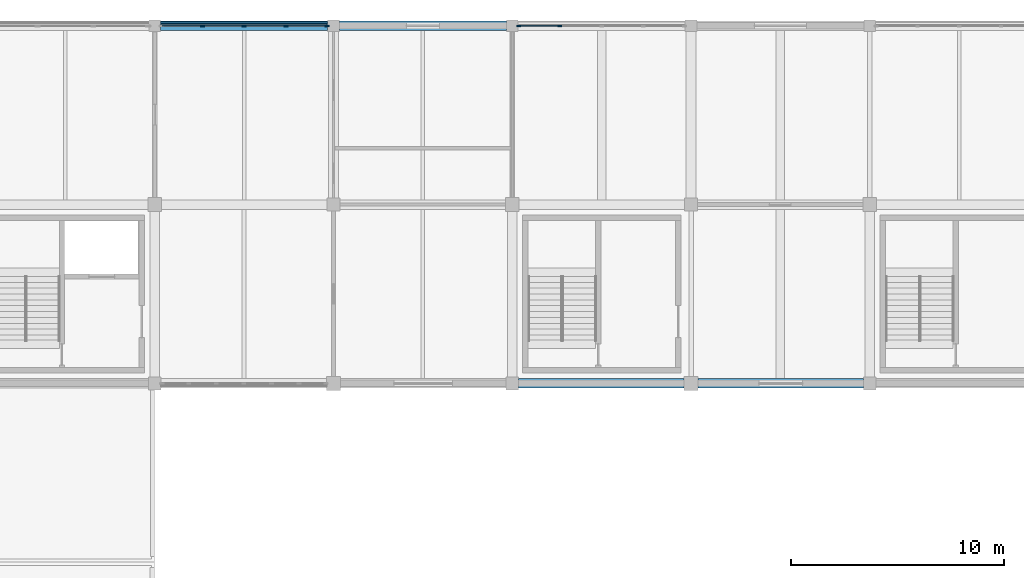
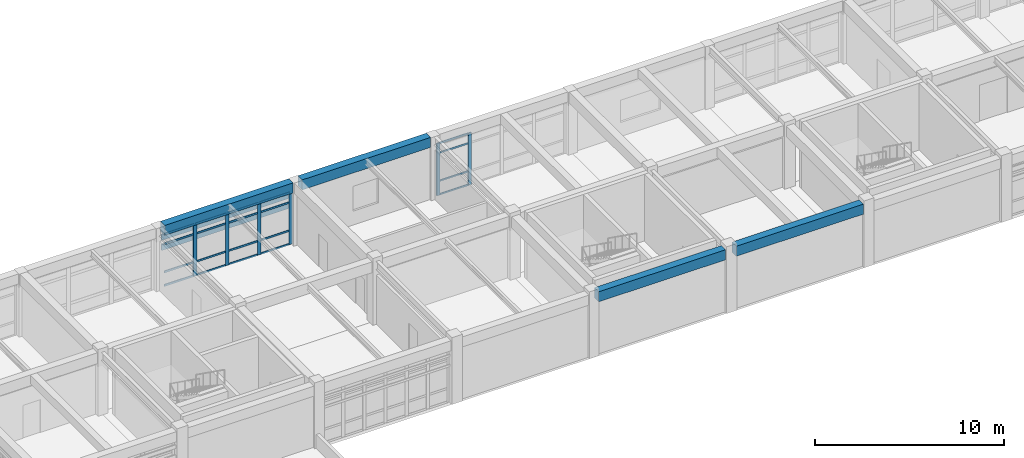
# One storey, part 6 of 18: 28 members, 4 beams, 2 elements without a shape of their own.
"""IFC4 building model written with IfcOpenShell, lengths in metres."""

from ifc_helpers import new_model, si_unit, direction, frame, origin, origin_2d, place, context, subcontext, project, spatial, rectangle, extrude, material, layer, layer_set, material_profile, profile_set, type_object, element, aggregate, save


model = new_model("IFC4")

# Units and contexts
model_context = context("Model", 3, precision=1e-05, world=origin(), true_north=direction((0.0, 1.0)))
body_context = subcontext(model_context, "Body", "Model", "MODEL_VIEW")
ifc_project = project(units=[si_unit("LENGTHUNIT", "METRE"), si_unit("AREAUNIT", "SQUARE_METRE"), si_unit("VOLUMEUNIT", "CUBIC_METRE"), si_unit("PLANEANGLEUNIT", "RADIAN"), si_unit("MASSUNIT", "GRAM", prefix="KILO")], contexts=[model_context])

# Site, building, storey
site_placement = place(None, origin())
site = spatial("IfcSite", under=ifc_project, at=site_placement, CompositionType="ELEMENT")
building_placement = place(site_placement, origin())
building = spatial("IfcBuilding", under=site, at=building_placement, Name="Porcellanite Civic Hall", CompositionType="ELEMENT")
storey_placement = place(building_placement, frame((0.0, 0.0, 23.39990234375)))
storey = spatial("IfcBuildingStorey", under=building, at=storey_placement, Name="L05", CompositionType="ELEMENT", Elevation=23.39990234375)

# Beams
ifc_material_1 = material(Name="Concrete N50 (50 MPa)", Category="concrete")
ifc_material_profile_1 = material_profile(ifc_material_1, rectangle(XDim=0.449951171875, YDim=0.64990234375, at=origin_2d()), Name="RC-450x650")
ifc_profile_set_1 = profile_set([ifc_material_profile_1], Name="Concrete N50 (50 MPa)")
beam_type = type_object("IfcBeamType", Name="BM-RC650", PredefinedType="SPANDREL", material=ifc_profile_set_1)
beam_1_placement = place(storey_placement, frame((59.074462890625, 117.60009765625, 3.7451171875), z_axis=(1.0, 0.0, 0.0), x_axis=(0.0, 1.0, 0.0)))
element("IfcBeam", 1, at=beam_1_placement, inside=storey, type_object=beam_type, Name="Beam X L05 8-15", PredefinedType="SPANDREL", context=body_context, shape_type="SweptSolid", body=[
    extrude(rectangle(XDim=0.449951171875, YDim=0.64990234375, at=origin_2d()), origin(), (0.0, 0.0, 1.0), 7.85107421875),
])
beam_2_placement = place(storey_placement, frame((67.474609375, 117.60009765625, 3.7451171875), z_axis=(1.0, 0.0, 0.0), x_axis=(0.0, 1.0, 0.0)))
element("IfcBeam", 2, at=beam_2_placement, inside=storey, type_object=beam_type, Name="Beam X L05 9-15", PredefinedType="SPANDREL", context=body_context, shape_type="SweptSolid", body=[
    extrude(rectangle(XDim=0.449951171875, YDim=0.64990234375, at=origin_2d()), origin(), (0.0, 0.0, 1.0), 7.850830078125),
])
for number, where, z_axis, x_axis, name in (
    (3, (75.8994140625, 100.800048828125, 3.7451171875), (1.0, 0.0, 0.0), (0.0, 1.0, 0.0), "Beam X L05 10-13"),
    (4, (84.324462890625, 100.800048828125, 3.7451171875), (1.0, 0.0, 0.0), (0.0, 1.0, 0.0), "Beam X L05 11-13"),
):
    element("IfcBeam", number, at=place(storey_placement, frame(where, z_axis=z_axis, x_axis=x_axis)), inside=storey, type_object=beam_type, Name=name, PredefinedType="SPANDREL", context=body_context, shape_type="SweptSolid", body=[
        extrude(rectangle(XDim=0.449951171875, YDim=0.64990234375, at=origin_2d()), origin(), (0.0, 0.0, 1.0), 7.776123046875),
    ])

# Curtain wall, members
ifc_material_2 = material(Name="Anodised aluminium and solar laminated glass", Category="aluminium")
ifc_layer_1 = layer(ifc_material_2, 0.179931640625)
ifc_layer_set_1 = layer_set([ifc_layer_1], Name="Anodised aluminium and solar laminated glass")
curtain_wall_type_1 = type_object("IfcCurtainWallType", Name="CW-SYS03", PredefinedType="NOTDEFINED", material=ifc_layer_set_1)
curtain_wall_1_placement = place(storey_placement, origin())
curtain_wall_1 = element("IfcCurtainWall", 5, at=curtain_wall_1_placement, inside=storey, type_object=curtain_wall_type_1, Name="Curtain wall CW-264", PredefinedType="NOTDEFINED")
ifc_material_3 = material(Name="Anodised aluminium 6063-T6", Category="aluminium")
ifc_material_profile_2 = material_profile(ifc_material_3, rectangle(XDim=0.080078125, YDim=0.2099609375, at=origin_2d()), Name="AL-80x210")
ifc_profile_set_2 = profile_set([ifc_material_profile_2], Name="Anodised aluminium 6063-T6")
member_type_1 = type_object("IfcMemberType", Name="CWM-02", PredefinedType="MULLION", material=ifc_profile_set_2)
member_1_placement = place(storey_placement, frame((61.0380859375, 117.60009765625, 0.0), z_axis=(0.0, 0.0, 1.0), x_axis=(0.0, 1.0, 0.0)))
member_1 = element("IfcMember", 6, at=member_1_placement, type_object=member_type_1, Name="CW-264 mullion 2", PredefinedType="MULLION", context=body_context, shape_type="SweptSolid", body=[
    extrude(rectangle(XDim=0.080078125, YDim=0.2099609375, at=origin_2d()), origin(), (0.0, 0.0, 1.0), 3.3701171875),
])
member_2_placement = place(storey_placement, frame((63.0, 117.60009765625, 0.0), z_axis=(0.0, 0.0, 1.0), x_axis=(0.0, 1.0, 0.0)))
member_2 = element("IfcMember", 7, at=member_2_placement, type_object=member_type_1, Name="CW-264 mullion 3", PredefinedType="MULLION", context=body_context, shape_type="SweptSolid", body=[
    extrude(rectangle(XDim=0.080078125, YDim=0.2099609375, at=origin_2d()), origin(), (0.0, 0.0, 1.0), 3.3701171875),
])
member_3_placement = place(storey_placement, frame((64.9619140625, 117.60009765625, 0.0), z_axis=(0.0, 0.0, 1.0), x_axis=(0.0, 1.0, 0.0)))
member_3 = element("IfcMember", 8, at=member_3_placement, type_object=member_type_1, Name="CW-264 mullion 4", PredefinedType="MULLION", context=body_context, shape_type="SweptSolid", body=[
    extrude(rectangle(XDim=0.080078125, YDim=0.2099609375, at=origin_2d()), origin(), (0.0, 0.0, 1.0), 3.3701171875),
])
member_4_placement = place(storey_placement, frame((66.884033203125, 117.60009765625, 0.0), z_axis=(0.0, 0.0, 1.0), x_axis=(0.0, 1.0, 0.0)))
member_4 = element("IfcMember", 9, at=member_4_placement, type_object=member_type_1, Name="CW-264 mullion 5", PredefinedType="MULLION", context=body_context, shape_type="SweptSolid", body=[
    extrude(rectangle(XDim=0.080078125, YDim=0.2099609375, at=origin_2d()), origin(), (0.0, 0.0, 1.0), 3.3701171875),
])

ifc_material_4 = material(Name="Anodised aluminium and solar laminated glass", Category="aluminium")
ifc_layer_2 = layer(ifc_material_4, 0.179931640625)
ifc_layer_set_2 = layer_set([ifc_layer_2], Name="Anodised aluminium and solar laminated glass")
curtain_wall_type_2 = type_object("IfcCurtainWallType", Name="CW-SYS04", PredefinedType="NOTDEFINED", material=ifc_layer_set_2)
curtain_wall_2_placement = place(storey_placement, origin())
curtain_wall_2 = element("IfcCurtainWall", 10, at=curtain_wall_2_placement, inside=storey, type_object=curtain_wall_type_2, Name="Curtain wall CW-265", PredefinedType="NOTDEFINED")
ifc_material_5 = material(Name="Anodised aluminium 6063-T6", Category="aluminium")
ifc_material_profile_3 = material_profile(ifc_material_5, rectangle(XDim=0.074951171875, YDim=0.18994140625, at=origin_2d()), Name="AL-75x190")
ifc_profile_set_3 = profile_set([ifc_material_profile_3], Name="Anodised aluminium 6063-T6")
member_type_2 = type_object("IfcMemberType", Name="CWM-04", PredefinedType="MULLION", material=ifc_profile_set_3)
member_5_placement = place(storey_placement, frame((75.91357421875, 117.60009765625, 0.0), z_axis=(0.0, 0.0, 1.0), x_axis=(0.0, 1.0, 0.0)))
member_5 = element("IfcMember", 11, at=member_5_placement, type_object=member_type_2, Name="CW-265 mullion 1", PredefinedType="MULLION", context=body_context, shape_type="SweptSolid", body=[
    extrude(rectangle(XDim=0.074951171875, YDim=0.18994140625, at=origin_2d()), origin(), (0.0, 0.0, 1.0), 3.3701171875),
])
member_6_placement = place(storey_placement, frame((77.837890625, 117.60009765625, 0.0), z_axis=(0.0, 0.0, 1.0), x_axis=(0.0, 1.0, 0.0)))
member_6 = element("IfcMember", 12, at=member_6_placement, type_object=member_type_2, Name="CW-265 mullion 2", PredefinedType="MULLION", context=body_context, shape_type="SweptSolid", body=[
    extrude(rectangle(XDim=0.074951171875, YDim=0.18994140625, at=origin_2d()), origin(), (0.0, 0.0, 1.0), 3.3701171875),
])

# Member
ifc_material_6 = material(Name="Anodised aluminium 6063-T6", Category="aluminium")
ifc_material_profile_4 = material_profile(ifc_material_6, rectangle(XDim=0.054931640625, YDim=0.1201171875, at=origin_2d()), Name="AL-55x120")
ifc_profile_set_4 = profile_set([ifc_material_profile_4], Name="Anodised aluminium 6063-T6")
member_type_3 = type_object("IfcMemberType", Name="CWT-04", PredefinedType="USERDEFINED", material=ifc_profile_set_4)
member_7_placement = place(storey_placement, frame((59.156005859375, 117.60009765625, 0.027587890625), z_axis=(1.0, 0.0, 0.0), x_axis=(0.0, 1.0, 0.0)))
member_7 = element("IfcMember", 13, at=member_7_placement, type_object=member_type_3, Name="CW-264 transom 1.1", ObjectType="TRANSOM", PredefinedType="USERDEFINED", context=body_context, shape_type="SweptSolid", body=[
    extrude(rectangle(XDim=0.054931640625, YDim=0.1201171875, at=origin_2d()), origin(), (0.0, 0.0, 1.0), 1.842041015625),
])

member_8_placement = place(storey_placement, frame((59.156005859375, 117.60009765625, 0.900146484375), z_axis=(1.0, 0.0, 0.0), x_axis=(0.0, 1.0, 0.0)))
member_8 = element("IfcMember", 14, at=member_8_placement, type_object=member_type_3, Name="CW-264 transom 1.2", ObjectType="TRANSOM", PredefinedType="USERDEFINED", context=body_context, shape_type="SweptSolid", body=[
    extrude(rectangle(XDim=0.054931640625, YDim=0.1201171875, at=origin_2d()), origin(), (0.0, 0.0, 1.0), 1.842041015625),
])

member_9_placement = place(storey_placement, frame((59.156005859375, 117.60009765625, 2.72021484375), z_axis=(1.0, 0.0, 0.0), x_axis=(0.0, 1.0, 0.0)))
member_9 = element("IfcMember", 15, at=member_9_placement, type_object=member_type_3, Name="CW-264 transom 1.3", ObjectType="TRANSOM", PredefinedType="USERDEFINED", context=body_context, shape_type="SweptSolid", body=[
    extrude(rectangle(XDim=0.054931640625, YDim=0.1201171875, at=origin_2d()), origin(), (0.0, 0.0, 1.0), 1.842041015625),
])

member_10_placement = place(storey_placement, frame((59.156005859375, 117.60009765625, 3.342529296875), z_axis=(1.0, 0.0, 0.0), x_axis=(0.0, 1.0, 0.0)))
member_10 = element("IfcMember", 16, at=member_10_placement, type_object=member_type_3, Name="CW-264 transom 1.4", ObjectType="TRANSOM", PredefinedType="USERDEFINED", context=body_context, shape_type="SweptSolid", body=[
    extrude(rectangle(XDim=0.054931640625, YDim=0.1201171875, at=origin_2d()), origin(), (0.0, 0.0, 1.0), 1.842041015625),
])

member_11_placement = place(storey_placement, frame((61.077880859375, 117.60009765625, 0.027587890625), z_axis=(1.0, 0.0, 0.0), x_axis=(0.0, 1.0, 0.0)))
member_11 = element("IfcMember", 17, at=member_11_placement, type_object=member_type_3, Name="CW-264 transom 2.1", ObjectType="TRANSOM", PredefinedType="USERDEFINED", context=body_context, shape_type="SweptSolid", body=[
    extrude(rectangle(XDim=0.054931640625, YDim=0.1201171875, at=origin_2d()), origin(), (0.0, 0.0, 1.0), 1.882080078125),
])

member_12_placement = place(storey_placement, frame((61.077880859375, 117.60009765625, 0.900146484375), z_axis=(1.0, 0.0, 0.0), x_axis=(0.0, 1.0, 0.0)))
member_12 = element("IfcMember", 18, at=member_12_placement, type_object=member_type_3, Name="CW-264 transom 2.2", ObjectType="TRANSOM", PredefinedType="USERDEFINED", context=body_context, shape_type="SweptSolid", body=[
    extrude(rectangle(XDim=0.054931640625, YDim=0.1201171875, at=origin_2d()), origin(), (0.0, 0.0, 1.0), 1.882080078125),
])

member_13_placement = place(storey_placement, frame((61.077880859375, 117.60009765625, 2.72021484375), z_axis=(1.0, 0.0, 0.0), x_axis=(0.0, 1.0, 0.0)))
member_13 = element("IfcMember", 19, at=member_13_placement, type_object=member_type_3, Name="CW-264 transom 2.3", ObjectType="TRANSOM", PredefinedType="USERDEFINED", context=body_context, shape_type="SweptSolid", body=[
    extrude(rectangle(XDim=0.054931640625, YDim=0.1201171875, at=origin_2d()), origin(), (0.0, 0.0, 1.0), 1.882080078125),
])

member_14_placement = place(storey_placement, frame((61.077880859375, 117.60009765625, 3.342529296875), z_axis=(1.0, 0.0, 0.0), x_axis=(0.0, 1.0, 0.0)))
member_14 = element("IfcMember", 20, at=member_14_placement, type_object=member_type_3, Name="CW-264 transom 2.4", ObjectType="TRANSOM", PredefinedType="USERDEFINED", context=body_context, shape_type="SweptSolid", body=[
    extrude(rectangle(XDim=0.054931640625, YDim=0.1201171875, at=origin_2d()), origin(), (0.0, 0.0, 1.0), 1.882080078125),
])

member_15_placement = place(storey_placement, frame((63.0400390625, 117.60009765625, 0.027587890625), z_axis=(1.0, 0.0, 0.0), x_axis=(0.0, 1.0, 0.0)))
member_15 = element("IfcMember", 21, at=member_15_placement, type_object=member_type_3, Name="CW-264 transom 3.1", ObjectType="TRANSOM", PredefinedType="USERDEFINED", context=body_context, shape_type="SweptSolid", body=[
    extrude(rectangle(XDim=0.054931640625, YDim=0.1201171875, at=origin_2d()), origin(), (0.0, 0.0, 1.0), 1.882080078125),
])

member_16_placement = place(storey_placement, frame((63.0400390625, 117.60009765625, 0.900146484375), z_axis=(1.0, 0.0, 0.0), x_axis=(0.0, 1.0, 0.0)))
member_16 = element("IfcMember", 22, at=member_16_placement, type_object=member_type_3, Name="CW-264 transom 3.2", ObjectType="TRANSOM", PredefinedType="USERDEFINED", context=body_context, shape_type="SweptSolid", body=[
    extrude(rectangle(XDim=0.054931640625, YDim=0.1201171875, at=origin_2d()), origin(), (0.0, 0.0, 1.0), 1.882080078125),
])

member_17_placement = place(storey_placement, frame((63.0400390625, 117.60009765625, 2.72021484375), z_axis=(1.0, 0.0, 0.0), x_axis=(0.0, 1.0, 0.0)))
member_17 = element("IfcMember", 23, at=member_17_placement, type_object=member_type_3, Name="CW-264 transom 3.3", ObjectType="TRANSOM", PredefinedType="USERDEFINED", context=body_context, shape_type="SweptSolid", body=[
    extrude(rectangle(XDim=0.054931640625, YDim=0.1201171875, at=origin_2d()), origin(), (0.0, 0.0, 1.0), 1.882080078125),
])

member_18_placement = place(storey_placement, frame((63.0400390625, 117.60009765625, 3.342529296875), z_axis=(1.0, 0.0, 0.0), x_axis=(0.0, 1.0, 0.0)))
member_18 = element("IfcMember", 24, at=member_18_placement, type_object=member_type_3, Name="CW-264 transom 3.4", ObjectType="TRANSOM", PredefinedType="USERDEFINED", context=body_context, shape_type="SweptSolid", body=[
    extrude(rectangle(XDim=0.054931640625, YDim=0.1201171875, at=origin_2d()), origin(), (0.0, 0.0, 1.0), 1.882080078125),
])

member_19_placement = place(storey_placement, frame((65.001953125, 117.60009765625, 0.027587890625), z_axis=(1.0, 0.0, 0.0), x_axis=(0.0, 1.0, 0.0)))
member_19 = element("IfcMember", 25, at=member_19_placement, type_object=member_type_3, Name="CW-264 transom 4.1", ObjectType="TRANSOM", PredefinedType="USERDEFINED", context=body_context, shape_type="SweptSolid", body=[
    extrude(rectangle(XDim=0.054931640625, YDim=0.1201171875, at=origin_2d()), origin(), (0.0, 0.0, 1.0), 1.842041015625),
])

member_20_placement = place(storey_placement, frame((65.001953125, 117.60009765625, 0.900146484375), z_axis=(1.0, 0.0, 0.0), x_axis=(0.0, 1.0, 0.0)))
member_20 = element("IfcMember", 26, at=member_20_placement, type_object=member_type_3, Name="CW-264 transom 4.2", ObjectType="TRANSOM", PredefinedType="USERDEFINED", context=body_context, shape_type="SweptSolid", body=[
    extrude(rectangle(XDim=0.054931640625, YDim=0.1201171875, at=origin_2d()), origin(), (0.0, 0.0, 1.0), 1.842041015625),
])

member_21_placement = place(storey_placement, frame((65.001953125, 117.60009765625, 2.72021484375), z_axis=(1.0, 0.0, 0.0), x_axis=(0.0, 1.0, 0.0)))
member_21 = element("IfcMember", 27, at=member_21_placement, type_object=member_type_3, Name="CW-264 transom 4.3", ObjectType="TRANSOM", PredefinedType="USERDEFINED", context=body_context, shape_type="SweptSolid", body=[
    extrude(rectangle(XDim=0.054931640625, YDim=0.1201171875, at=origin_2d()), origin(), (0.0, 0.0, 1.0), 1.842041015625),
])

member_22_placement = place(storey_placement, frame((65.001953125, 117.60009765625, 3.342529296875), z_axis=(1.0, 0.0, 0.0), x_axis=(0.0, 1.0, 0.0)))
member_22 = element("IfcMember", 28, at=member_22_placement, type_object=member_type_3, Name="CW-264 transom 4.4", ObjectType="TRANSOM", PredefinedType="USERDEFINED", context=body_context, shape_type="SweptSolid", body=[
    extrude(rectangle(XDim=0.054931640625, YDim=0.1201171875, at=origin_2d()), origin(), (0.0, 0.0, 1.0), 1.842041015625),
])

aggregate(curtain_wall_1, [member_1, member_2, member_3, member_4, member_7, member_8, member_9, member_10, member_11, member_12, member_13, member_14, member_15, member_16, member_17, member_18, member_19, member_20, member_21, member_22])

ifc_material_7 = material(Name="Anodised aluminium 6063-T6", Category="aluminium")
ifc_material_profile_5 = material_profile(ifc_material_7, rectangle(XDim=0.054931640625, YDim=0.10009765625, at=origin_2d()), Name="AL-55x100")
ifc_profile_set_5 = profile_set([ifc_material_profile_5], Name="Anodised aluminium 6063-T6")
member_type_4 = type_object("IfcMemberType", Name="CWT-05", PredefinedType="USERDEFINED", material=ifc_profile_set_5)
member_23_placement = place(storey_placement, frame((75.950927734375, 117.60009765625, 0.027587890625), z_axis=(1.0, 0.0, 0.0), x_axis=(0.0, 1.0, 0.0)))
member_23 = element("IfcMember", 29, at=member_23_placement, type_object=member_type_4, Name="CW-265 transom 1.1", ObjectType="TRANSOM", PredefinedType="USERDEFINED", context=body_context, shape_type="SweptSolid", body=[
    extrude(rectangle(XDim=0.054931640625, YDim=0.10009765625, at=origin_2d()), origin(), (0.0, 0.0, 1.0), 1.849609375),
])

member_24_placement = place(storey_placement, frame((75.950927734375, 117.60009765625, 0.900146484375), z_axis=(1.0, 0.0, 0.0), x_axis=(0.0, 1.0, 0.0)))
member_24 = element("IfcMember", 30, at=member_24_placement, type_object=member_type_4, Name="CW-265 transom 1.2", ObjectType="TRANSOM", PredefinedType="USERDEFINED", context=body_context, shape_type="SweptSolid", body=[
    extrude(rectangle(XDim=0.054931640625, YDim=0.10009765625, at=origin_2d()), origin(), (0.0, 0.0, 1.0), 1.849609375),
])

member_25_placement = place(storey_placement, frame((75.950927734375, 117.60009765625, 2.72021484375), z_axis=(1.0, 0.0, 0.0), x_axis=(0.0, 1.0, 0.0)))
member_25 = element("IfcMember", 31, at=member_25_placement, type_object=member_type_4, Name="CW-265 transom 1.3", ObjectType="TRANSOM", PredefinedType="USERDEFINED", context=body_context, shape_type="SweptSolid", body=[
    extrude(rectangle(XDim=0.054931640625, YDim=0.10009765625, at=origin_2d()), origin(), (0.0, 0.0, 1.0), 1.849609375),
])

member_26_placement = place(storey_placement, frame((75.950927734375, 117.60009765625, 3.342529296875), z_axis=(1.0, 0.0, 0.0), x_axis=(0.0, 1.0, 0.0)))
member_26 = element("IfcMember", 32, at=member_26_placement, type_object=member_type_4, Name="CW-265 transom 1.4", ObjectType="TRANSOM", PredefinedType="USERDEFINED", context=body_context, shape_type="SweptSolid", body=[
    extrude(rectangle(XDim=0.054931640625, YDim=0.10009765625, at=origin_2d()), origin(), (0.0, 0.0, 1.0), 1.849609375),
])

aggregate(curtain_wall_2, [member_5, member_6, member_23, member_24, member_25, member_26])

# Members
ifc_material_8 = material(Name="Fluoropolymer bauxite-red aluminium 6063-T6", Category="aluminium")
ifc_material_profile_6 = material_profile(ifc_material_8, rectangle(XDim=0.090087890625, YDim=0.360107421875, at=origin_2d()), Name="AL-90x360")
ifc_profile_set_6 = profile_set([ifc_material_profile_6], Name="Fluoropolymer bauxite-red aluminium 6063-T6")
member_type_5 = type_object("IfcMemberType", Name="LV-BLD01", PredefinedType="USERDEFINED", material=ifc_profile_set_6)
for number, where, z_axis, x_axis, name in (
    (33, (59.074462890625, 117.751953125, 3.070068359375), (1.0, 0.0, 0.0), (0.0, 1.0, 0.0), "Cyclone sunshade louvre L05 N 7-13 1"),
    (34, (59.074462890625, 117.751953125, 2.420166015625), (1.0, 0.0, 0.0), (0.0, 1.0, 0.0), "Cyclone sunshade louvre L05 N 7-13 2"),
):
    element("IfcMember", number, at=place(storey_placement, frame(where, z_axis=z_axis, x_axis=x_axis)), inside=storey, type_object=member_type_5, Name=name, ObjectType="LOUVRE BLADE", PredefinedType="USERDEFINED", context=body_context, shape_type="SweptSolid", body=[
        extrude(rectangle(XDim=0.090087890625, YDim=0.360107421875, at=origin_2d()), origin(), (0.0, 0.0, 1.0), 7.85107421875),
    ])

save(model, "model.ifc")
